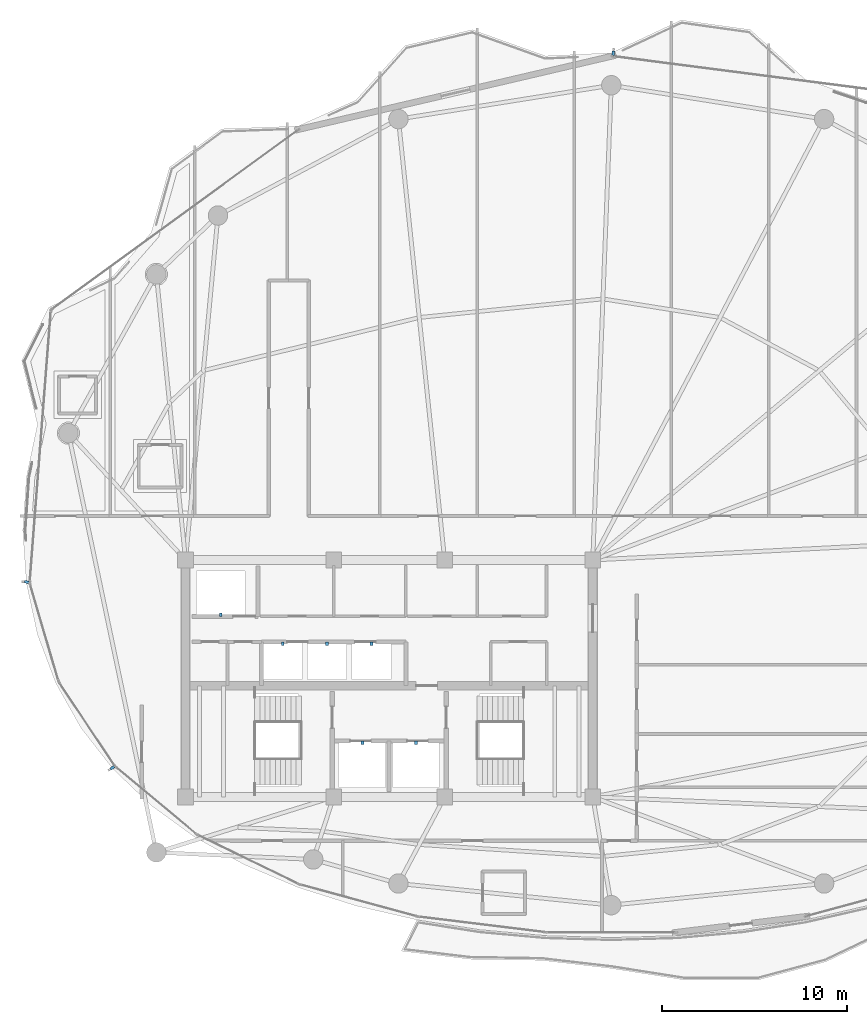
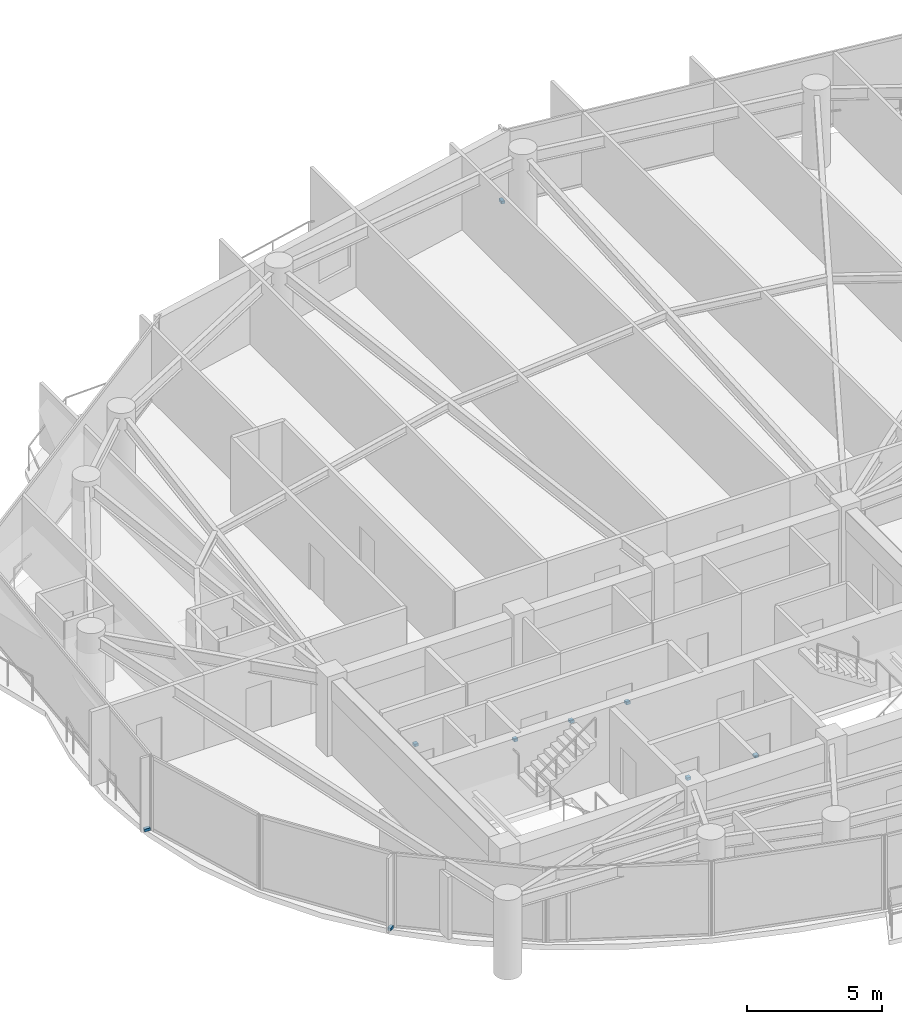
# One storey, part 28 of 31: 9 discrete accessories.
"""IFC4 building model written with IfcOpenShell, lengths in metres."""

import ifcopenshell
import ifcopenshell.guid

model = None  # the IFC model being written
_history = None  # IfcOwnerHistory: only IFC2X3 demands one
_inside = {}  # id of a spatial element -> (the spatial element, [elements in it])
_under = {}  # id of a project, library or spatial element -> (it, [spatial elements below it])
_declared = {}  # id of a project -> (the project, [libraries it declares])
_typed = {}  # id of a type object -> (the type object, [elements of that type])
_made_of = {}  # id of a material, layer set ... -> (it, [elements and type objects made of it])


def new_model(schema):
    """Start an empty IFC model of exactly this schema.

    Asked for "IFC4X3", IfcOpenShell would pick the latest addendum, in which some entities
    have other attributes; the version numbers below select the first issue.
    IFC2X3 requires an IfcOwnerHistory on every rooted entity: one is made here for all.
    """
    global model, _history
    if schema == "IFC4X3":
        model = ifcopenshell.file(schema_version=(4, 3, 0, 0))
    else:
        model = ifcopenshell.file(schema=schema)
    _inside.clear()
    _under.clear()
    _declared.clear()
    _typed.clear()
    _made_of.clear()
    _history = None
    if model.schema == "IFC2X3":
        org = make("IfcOrganization", Name="unknown")
        user = make(
            "IfcPersonAndOrganization",
            ThePerson=make("IfcPerson", FamilyName="unknown"),
            TheOrganization=org,
        )
        app = make(
            "IfcApplication",
            ApplicationDeveloper=org,
            Version="unknown",
            ApplicationFullName="unknown",
            ApplicationIdentifier="unknown",
        )
        _history = make(
            "IfcOwnerHistory",
            OwningUser=user,
            OwningApplication=app,
            ChangeAction="ADDED",
            CreationDate=0,
        )
    return model


def make(cls, **values):
    """One entity of the class cls with the attributes given. An attribute that is None is left unset."""
    return model.create_entity(
        cls, **{name: value for name, value in values.items() if value is not None}
    )


def rooted(cls, **values):
    """An entity with a GlobalId (a new one), such as an element, a storey or a relation."""
    return make(cls, GlobalId=ifcopenshell.guid.new(), OwnerHistory=_history, **values)


def si_unit(unit_type, name, prefix=None):
    """IfcSIUnit, for example si_unit("LENGTHUNIT", "METRE", prefix="MILLI")."""
    return make("IfcSIUnit", UnitType=unit_type, Prefix=prefix, Name=name)


def assignment(units):
    """IfcUnitAssignment: the units of a project."""
    return None if units is None else make("IfcUnitAssignment", Units=units)


def point(xyz):
    """IfcCartesianPoint."""
    return None if xyz is None else make("IfcCartesianPoint", Coordinates=xyz)


def direction(xyz):
    """IfcDirection."""
    return None if xyz is None else make("IfcDirection", DirectionRatios=xyz)


def frame(location, z_axis=None, x_axis=None):
    """IfcAxis2Placement3D, a coordinate frame: its origin and axes. An axis left out is left unset."""
    return make(
        "IfcAxis2Placement3D",
        Location=point(location),
        Axis=direction(z_axis),
        RefDirection=direction(x_axis),
    )


def frame_2d(location, x_axis=None):
    """IfcAxis2Placement2D, a coordinate frame in the plane: its origin and x axis."""
    return make(
        "IfcAxis2Placement2D", Location=point(location), RefDirection=direction(x_axis)
    )


def origin():
    """The frame at (0, 0, 0) with its axes left unset."""
    return frame((0.0, 0.0, 0.0))


def origin_2d():
    """The frame at (0, 0) in the plane with its x axis left unset."""
    return frame_2d((0.0, 0.0))


def place(relative_to, where):
    """IfcLocalPlacement: puts the frame where relative to a parent placement (None: the world)."""
    return make(
        "IfcLocalPlacement", PlacementRelTo=relative_to, RelativePlacement=where
    )


def context(
    kind, dimensions, precision=None, world=None, true_north=None, identifier=None
):
    """IfcGeometricRepresentationContext, for example the 3D "Model" context."""
    return make(
        "IfcGeometricRepresentationContext",
        ContextIdentifier=identifier,
        ContextType=kind,
        CoordinateSpaceDimension=dimensions,
        Precision=precision,
        WorldCoordinateSystem=world,
        TrueNorth=true_north,
    )


def subcontext(parent, identifier, kind, view, scale=None):
    """IfcGeometricRepresentationSubContext, for example "Body" below "Model"."""
    return make(
        "IfcGeometricRepresentationSubContext",
        ContextIdentifier=identifier,
        ContextType=kind,
        ParentContext=parent,
        TargetScale=scale,
        TargetView=view,
    )


def project(units=None, contexts=None):
    """IfcProject with its units and contexts."""
    return rooted(
        "IfcProject",
        Name="project",
        RepresentationContexts=contexts,
        UnitsInContext=assignment(units),
    )


def spatial(cls, under=None, at=None, **own):
    """A site, building, storey or space (cls), placed at a placement, below another one or the project."""
    s = rooted(cls, ObjectPlacement=at, **own)
    if under is not None:
        _under.setdefault(under.id(), (under, []))[1].append(s)
    return s


def profile(cls, at=None, kind="AREA", **sizes):
    """A parametric profile (cls). Its sizes go by their IFC names, for example OverallWidth=200.0."""
    return make(cls, ProfileType=kind, Position=at, **sizes)


def rectangle(**sizes):
    """IfcRectangleProfileDef."""
    return profile("IfcRectangleProfileDef", **sizes)


def extrude(swept, where, along, depth):
    """IfcExtrudedAreaSolid: the profile swept, set in the frame where, extruded along a direction by depth."""
    return make(
        "IfcExtrudedAreaSolid",
        SweptArea=swept,
        Position=where,
        ExtrudedDirection=direction(along),
        Depth=depth,
    )


def shape(context_of_items, identifier, shape_type, items):
    """IfcShapeRepresentation: the items that make up one representation, for example the "Body"."""
    return make(
        "IfcShapeRepresentation",
        ContextOfItems=context_of_items,
        RepresentationIdentifier=identifier,
        RepresentationType=shape_type,
        Items=items,
    )


def material(Name=None, Category=None):
    """IfcMaterial."""
    return make("IfcMaterial", Name=Name, Category=Category)


def made_of(thing, what):
    """Note that an element or type object is made of a material, layer set ...; save() writes the relation."""
    if what is not None:
        _made_of.setdefault(what.id(), (what, []))[1].append(thing)
    return thing


def type_object(cls, material=None, **own):
    """A type object (cls), such as IfcWallType, which elements share."""
    return made_of(rooted(cls, **own), material)


def element(
    cls,
    number,
    at=None,
    inside=None,
    cuts=None,
    type_object=None,
    material=None,
    context=None,
    identifier="Body",
    shape_type=None,
    held_by="IfcProductDefinitionShape",
    body=None,
    shapes=None,
    **own,
):
    """One element of the class cls, such as IfcWall. Its Tag is "e" and its number.

    at: its placement. inside: the storey or other place that contains it. cuts: it is an
    opening in that element (IfcRelVoidsElement). A single representation is given by context,
    identifier, shape_type and body (its items); several are given by shapes. held_by: the class
    of the entity that holds the representations. save() writes the other relations.
    """
    e = rooted(cls, Tag="e%d" % number, ObjectPlacement=at, **own)
    if body is not None:
        shapes = [shape(context, identifier, shape_type, body)]
    if shapes is not None:
        e.Representation = make(held_by, Representations=shapes)
    if inside is not None:
        _inside.setdefault(inside.id(), (inside, []))[1].append(e)
    if cuts is not None:
        rooted(
            "IfcRelVoidsElement", RelatingBuildingElement=cuts, RelatedOpeningElement=e
        )
    if type_object is not None:
        _typed.setdefault(type_object.id(), (type_object, []))[1].append(e)
    return made_of(e, material)


def aggregate(whole, parts):
    """IfcRelAggregates: a whole, such as a stair, and the parts it consists of."""
    return rooted("IfcRelAggregates", RelatingObject=whole, RelatedObjects=parts)


def save(model, path):
    """Write the relations noted so far, then the file.

    IfcRelAggregates (storeys below a building ...), IfcRelContainedInSpatialStructure (elements
    in a storey), IfcRelDefinesByType, IfcRelAssociatesMaterial and IfcRelDeclares: one each for
    every whole, place, type object, material and project.
    """
    for whole, parts in _under.values():
        aggregate(whole, parts)
    for where, things in _inside.values():
        rooted(
            "IfcRelContainedInSpatialStructure",
            RelatedElements=things,
            RelatingStructure=where,
        )
    for kind, things in _typed.values():
        rooted("IfcRelDefinesByType", RelatedObjects=things, RelatingType=kind)
    for what, things in _made_of.values():
        rooted("IfcRelAssociatesMaterial", RelatedObjects=things, RelatingMaterial=what)
    for by, libraries in _declared.values():
        rooted("IfcRelDeclares", RelatingContext=by, RelatedDefinitions=libraries)
    model.write(path)


model = new_model("IFC4")

# Units and contexts
model_context = context("Model", 3, precision=1e-05, world=origin(), true_north=direction((0.0, 1.0)))
body_context = subcontext(model_context, "Body", "Model", "MODEL_VIEW")
ifc_project = project(units=[si_unit("LENGTHUNIT", "METRE"), si_unit("AREAUNIT", "SQUARE_METRE"), si_unit("VOLUMEUNIT", "CUBIC_METRE"), si_unit("PLANEANGLEUNIT", "RADIAN"), si_unit("MASSUNIT", "GRAM", prefix="KILO")], contexts=[model_context])

# Site, building, storey
site_placement = place(None, origin())
site = spatial("IfcSite", under=ifc_project, at=site_placement, CompositionType="ELEMENT")
building_placement = place(site_placement, origin())
building = spatial("IfcBuilding", under=site, at=building_placement, Name="Kazevale Care Tower and Concert Hall", CompositionType="ELEMENT")
storey_placement = place(building_placement, frame((0.0, 0.0, 235.199951171875)))
storey = spatial("IfcBuildingStorey", under=building, at=storey_placement, Name="L62", CompositionType="ELEMENT", Elevation=235.199951171875)

# Discrete accessories
ifc_material = material(Name="Stainless Steel 316", Category="steel")
discrete_accessory_type_1 = type_object("IfcDiscreteAccessoryType", Name="Facade Fin Stainless Anchor Bracket BRK-1", PredefinedType="BRACKET", material=ifc_material)
for number, where, z_axis, x_axis, name in (
    (1, (18.04443359375, 25.1689453125, 0.0), (0.0, 0.0, 1.0), (-0.832147748683, -0.554553986878, 0.0), "cw:L62:f11:brk"),
    (2, (13.41259765625, 35.210205078125, 0.0), (0.0, 0.0, 1.0), (-0.996985422604, 0.077589091471, 0.0), "cw:L62:f13:brk"),
    (3, (45.10546875, 63.785400390625, 0.0), (0.0, 0.0, 1.0), (0.128103248172, 0.991760837, 0.0), "cw:L62:f16:brk"),
):
    element("IfcDiscreteAccessory", number, at=place(storey_placement, frame(where, z_axis=z_axis, x_axis=x_axis)), inside=storey, type_object=discrete_accessory_type_1, Name=name, PredefinedType="BRACKET", context=body_context, shape_type="SweptSolid", body=[
        extrude(rectangle(XDim=0.239990234375, YDim=0.139892578125, at=origin_2d()), origin(), (0.0, 0.0, 1.0), 0.1201171875),
    ])
discrete_accessory_type_2 = type_object("IfcDiscreteAccessoryType", Name="Hoistway Guide-Rail Wall Bracket HBRK-1", PredefinedType="BRACKET", material=ifc_material)
for number, where, z_axis, x_axis, name in (
    (4, (31.550048828125, 26.52001953125, 1.239990234375), (0.0, 0.0, 1.0), (1.0, 0.0, 0.0), "hbrk:FFL-1:L62"),
    (5, (34.449951171875, 26.52001953125, 1.239990234375), (0.0, 0.0, 1.0), (1.0, 0.0, 0.0), "hbrk:FFL-2:L62"),
    (6, (23.89990234375, 33.449951171875, 1.239990234375), (0.0, 0.0, 1.0), (1.0, 0.0, 0.0), "hbrk:SVL-1:L62"),
    (7, (27.25, 31.8798828125, 1.239990234375), (0.0, 0.0, 1.0), (1.0, 0.0, 0.0), "hbrk:PH-1:L62"),
    (8, (29.64990234375, 31.8798828125, 1.239990234375), (0.0, 0.0, 1.0), (1.0, 0.0, 0.0), "hbrk:PH-2:L62"),
    (9, (32.050048828125, 31.8798828125, 1.239990234375), (0.0, 0.0, 1.0), (1.0, 0.0, 0.0), "hbrk:PH-3:L62"),
):
    element("IfcDiscreteAccessory", number, at=place(storey_placement, frame(where, z_axis=z_axis, x_axis=x_axis)), inside=storey, type_object=discrete_accessory_type_2, Name=name, PredefinedType="BRACKET", context=body_context, shape_type="SweptSolid", body=[
        extrude(rectangle(XDim=0.159912109375, YDim=0.179931640625, at=origin_2d()), origin(), (0.0, 0.0, 1.0), 0.1201171875),
    ])

save(model, "model.ifc")
